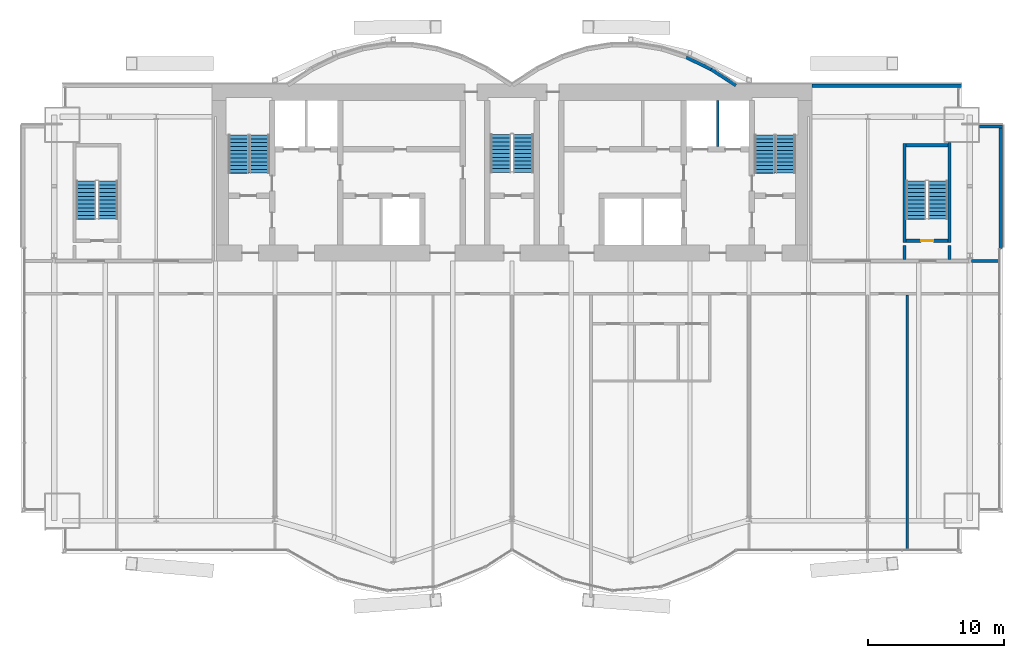
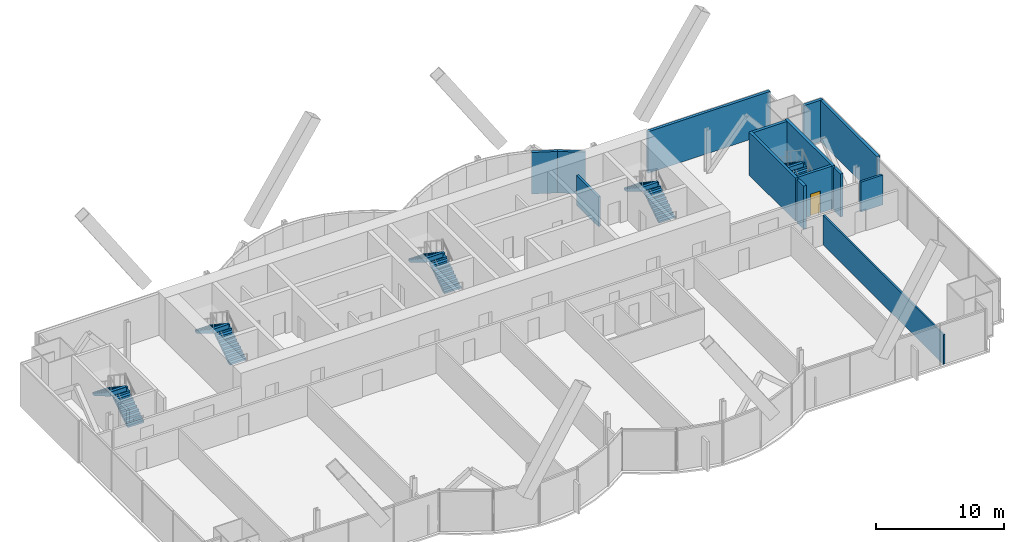
# One storey, part 19 of 22: 14 walls, 10 stair flights, 1 door, 1 opening, 5 elements without a shape of their own.
"""IFC4 building model written with IfcOpenShell, lengths in metres."""

from ifc_helpers import new_model, si_unit, direction, frame, frame_2d, origin, place, context, subcontext, project, spatial, polyline, rectangle, outline, extrude, material, layer, layer_set, layer_usage, type_object, element, fill, aggregate, save


model = new_model("IFC4")

# Units and contexts
model_context = context("Model", 3, precision=1e-05, world=origin(), true_north=direction((0.0, 1.0)))
body_context = subcontext(model_context, "Body", "Model", "MODEL_VIEW")
ifc_project = project(units=[si_unit("LENGTHUNIT", "METRE"), si_unit("AREAUNIT", "SQUARE_METRE"), si_unit("VOLUMEUNIT", "CUBIC_METRE"), si_unit("PLANEANGLEUNIT", "RADIAN"), si_unit("MASSUNIT", "GRAM", prefix="KILO")], contexts=[model_context])

# Site, building, storey
site_placement = place(None, origin())
site = spatial("IfcSite", under=ifc_project, at=site_placement, CompositionType="ELEMENT")
building_placement = place(site_placement, origin())
building = spatial("IfcBuilding", under=site, at=building_placement, Name="Bicima Exchange Tower", CompositionType="ELEMENT")
storey_placement = place(building_placement, frame((0.0, 0.0, 169.10009765625)))
storey = spatial("IfcBuildingStorey", under=building, at=storey_placement, Name="L37", CompositionType="ELEMENT", Elevation=169.10009765625)

# Walls
ifc_material_1 = material(Name="Gypsum board partition")
ifc_layer_1 = layer(ifc_material_1, 0.199951171875)
ifc_layer_set_1 = layer_set([ifc_layer_1], Name="Gypsum board partition")
wall_type_1 = type_object("IfcWallType", Name="Fire-rated gypsum partition 200 EI120", PredefinedType="PARTITIONING", material=ifc_layer_set_1)
wall_1_placement = place(storey_placement, frame((15.10009765625, -4.60009765625, 0.0), z_axis=(0.0, 0.0, 1.0), x_axis=(0.0, 1.0, 0.0)))
element("IfcWall", 1, at=wall_1_placement, inside=storey, type_object=wall_type_1, Name="partition wall 21", PredefinedType="PARTITIONING", context=body_context, shape_type="SweptSolid", body=[
    extrude(rectangle(XDim=3.400146484375, YDim=0.199951171875, at=frame_2d((1.7001953125, 0.0))), origin(), (0.0, 0.0, 1.0), 2.840087890625),
])
ifc_layer_2 = layer(ifc_material_1, 0.199951171875)
ifc_layer_set_2 = layer_set([ifc_layer_2], Name="Gypsum board partition")
wall_type_2 = type_object("IfcWallType", Name="Fire-rated gypsum partition 200 EI60", PredefinedType="PARTITIONING", material=ifc_layer_set_2)
wall_2_placement = place(storey_placement, frame((33.719970703125, -13.0, 0.0), z_axis=(0.0, 0.0, 1.0), x_axis=(1.0, 0.0, 0.0)))
element("IfcWall", 2, at=wall_2_placement, inside=storey, type_object=wall_type_2, Name="partition wall 7", PredefinedType="PARTITIONING", context=body_context, shape_type="SweptSolid", body=[
    extrude(rectangle(XDim=1.9599609375, YDim=0.199951171875, at=frame_2d((0.97998046875, 0.0))), origin(), (0.0, 0.0, 1.0), 2.840087890625),
])
ifc_layer_3 = layer(ifc_material_1, 0.14990234375)
ifc_layer_set_3 = layer_set([ifc_layer_3], Name="Gypsum board partition")
wall_type_3 = type_object("IfcWallType", Name="Gypsum partition 150", PredefinedType="PARTITIONING", material=ifc_layer_set_3)
wall_3_placement = place(storey_placement, frame((29.0, -34.22998046875, 0.0), z_axis=(0.0, 0.0, 1.0), x_axis=(0.0, 1.0, 0.0)))
element("IfcWall", 3, at=wall_3_placement, inside=storey, type_object=wall_type_3, Name="partition wall 27", PredefinedType="PARTITIONING", context=body_context, shape_type="SweptSolid", body=[
    extrude(rectangle(XDim=18.72998046875, YDim=0.14990234375, at=frame_2d((9.364990234375, 0.0))), origin(), (0.0, 0.0, 1.0), 2.840087890625),
])
ifc_material_2 = material(Name="Concrete C50/60", Category="concrete")
ifc_layer_4 = layer(ifc_material_2, 0.25)
ifc_layer_set_4 = layer_set([ifc_layer_4], Name="Concrete C50/60")
wall_type_4 = type_object("IfcWallType", Name="RC core wall 250 C50/60", PredefinedType="SHEAR", material=ifc_layer_set_4)
for number, where, z_axis, x_axis, name in (
    (4, (28.800048828125, -12.89990234375, 0.0), (0.0, 0.0, 1.0), (0.0, 1.0, 0.0), "stair wall 26"),
    (5, (32.10009765625, -12.89990234375, 0.0), (0.0, 0.0, 1.0), (0.0, 1.0, 0.0), "stair wall 28"),
):
    element("IfcWall", number, at=place(storey_placement, frame(where, z_axis=z_axis, x_axis=x_axis)), inside=storey, type_object=wall_type_4, Name=name, PredefinedType="SHEAR", context=body_context, shape_type="SweptSolid", body=[
        extrude(rectangle(XDim=1.0498046875, YDim=0.25, at=frame_2d((0.52490234375, 0.0))), origin(), (0.0, 0.0, 1.0), 4.099853515625),
    ])
ifc_layer_5 = layer(ifc_material_2, 0.25)
ifc_layer_set_5 = layer_set([ifc_layer_5], Name="Concrete C50/60")
wall_type_5 = type_object("IfcWallType", Name="RC stair enclosure wall 250 C50/60", PredefinedType="SHEAR", material=ifc_layer_set_5)
wall_4_placement = place(storey_placement, frame((28.800048828125, -11.625, 0.0), z_axis=(0.0, 0.0, 1.0), x_axis=(0.0, 1.0, 0.0)))
element("IfcWall", 6, at=wall_4_placement, inside=storey, type_object=wall_type_5, Name="East end exit stair wall W", PredefinedType="SHEAR", context=body_context, shape_type="SweptSolid", body=[
    extrude(rectangle(XDim=7.25, YDim=0.25, at=frame_2d((3.625, 0.0))), origin(), (0.0, 0.0, 1.0), 4.099853515625),
])
wall_5_placement = place(storey_placement, frame((32.10009765625, -11.625, 0.0), z_axis=(0.0, 0.0, 1.0), x_axis=(0.0, 1.0, 0.0)))
element("IfcWall", 7, at=wall_5_placement, inside=storey, type_object=wall_type_5, Name="East end exit stair wall E", PredefinedType="SHEAR", context=body_context, shape_type="SweptSolid", body=[
    extrude(rectangle(XDim=7.324951171875, YDim=0.25, at=frame_2d((3.66259765625, 0.0))), origin(), (0.0, 0.0, 1.0), 4.099853515625),
])

# Wall, opening, door
wall_6_placement = place(storey_placement, frame((28.925048828125, -11.5, 0.0), z_axis=(0.0, 0.0, 1.0), x_axis=(1.0, 0.0, 0.0)))
wall_6 = element("IfcWall", 8, at=wall_6_placement, inside=storey, type_object=wall_type_5, Name="East end exit stair wall S", PredefinedType="SHEAR", context=body_context, shape_type="SweptSolid", body=[
    extrude(rectangle(XDim=3.050048828125, YDim=0.25, at=frame_2d((1.52490234375, 0.0))), origin(), (0.0, 0.0, 1.0), 4.099853515625),
])
opening_placement = place(wall_6_placement, frame((1.10009765625, 0.0, 0.0)))
opening = element("IfcOpeningElement", 9, at=opening_placement, cuts=wall_6, Name="Opening L37-004", PredefinedType="OPENING", context=body_context, shape_type="SweptSolid", body=[
    extrude(rectangle(XDim=0.89990234375, YDim=2.10009765625, at=frame_2d((0.449951171875, 1.050048828125))), frame((0.0, 0.136962890625, 0.0), z_axis=(0.0, -1.0, 0.0), x_axis=(1.0, 0.0, 0.0)), (0.0, 0.0, 1.0), 0.27392578125),
])
ifc_material_3 = material(Name="Steel fire door leaf", Category="steel")
door_type = type_object("IfcDoorType", Name="Door 900 swing FD60S", OperationType="SINGLE_SWING_LEFT", PredefinedType="DOOR", material=ifc_material_3)
door_placement = place(opening_placement, origin())
door = element("IfcDoor", 10, at=door_placement, inside=storey, type_object=door_type, Name="Door", OperationType="SINGLE_SWING_LEFT", OverallHeight=2.10009765625, OverallWidth=0.89990234375, PredefinedType="DOOR", context=body_context, shape_type="SweptSolid", body=[
    extrude(rectangle(XDim=0.89990234375, YDim=2.10009765625, at=frame_2d((0.449951171875, 1.050048828125))), frame((0.0, 0.02490234375, 0.0), z_axis=(0.0, -1.0, 0.0), x_axis=(1.0, 0.0, 0.0)), (0.0, 0.0, 1.0), 0.050048828125),
])
fill(opening, door)

# Walls
wall_7_placement = place(storey_placement, frame((28.925048828125, -4.5, 0.0), z_axis=(0.0, 0.0, 1.0), x_axis=(1.0, 0.0, 0.0)))
element("IfcWall", 11, at=wall_7_placement, inside=storey, type_object=wall_type_5, Name="East end exit stair wall N", PredefinedType="SHEAR", context=body_context, shape_type="SweptSolid", body=[
    extrude(rectangle(XDim=3.050048828125, YDim=0.25, at=frame_2d((1.52490234375, 0.0))), origin(), (0.0, 0.0, 1.0), 4.099853515625),
])
ifc_material_4 = material(Name="Concrete C40/50", Category="concrete")
ifc_layer_6 = layer(ifc_material_4, 0.25)
ifc_layer_set_6 = layer_set([ifc_layer_6], Name="Concrete C40/50")
ifc_layer_usage = layer_usage(ifc_layer_set_6, "AXIS2", "POSITIVE", -0.125)
wall_type_6 = type_object("IfcWallType", Name="Rear backup wall 250", PredefinedType="STANDARD", material=ifc_layer_set_6)
wall_8_placement = place(storey_placement, frame((33.0, -0.125, 0.0), z_axis=(0.0, 0.0, 1.0), x_axis=(-1.0, 0.0, 0.0)))
element("IfcWall", 12, at=wall_8_placement, inside=storey, type_object=wall_type_6, material=ifc_layer_usage, Name="Rear backup wall L37 1", PredefinedType="STANDARD", context=body_context, shape_type="SweptSolid", body=[
    extrude(rectangle(XDim=11.0, YDim=0.25, at=frame_2d((5.5, 0.0))), origin(), (0.0, 0.0, 1.0), 3.949951171875),
])
wall_9_placement = place(storey_placement, frame((16.43212890625, -0.10498046875, 0.0), z_axis=(0.0, 0.0, 1.0), x_axis=(-0.83981312244, 0.542875602121, 0.0)))
element("IfcWall", 13, at=wall_9_placement, inside=storey, type_object=wall_type_6, material=ifc_layer_usage, Name="Rear backup wall L37 2", PredefinedType="STANDARD", context=body_context, shape_type="SweptSolid", body=[
    extrude(rectangle(XDim=2.182861328125, YDim=0.25, at=frame_2d((1.09130859375, 0.0))), origin(), (0.0, 0.0, 1.0), 3.949951171875),
])
wall_10_placement = place(storey_placement, frame((14.6123046875, 1.07275390625, 0.0), z_axis=(0.0, 0.0, 1.0), x_axis=(-0.89982408427, 0.436252928206, 0.0)))
element("IfcWall", 14, at=wall_10_placement, inside=storey, type_object=wall_type_6, material=ifc_layer_usage, Name="Rear backup wall L37 3", PredefinedType="STANDARD", context=body_context, shape_type="SweptSolid", body=[
    extrude(rectangle(XDim=2.03759765625, YDim=0.25, at=frame_2d((1.018798828125, 0.0))), origin(), (0.0, 0.0, 1.0), 3.949951171875),
])
wall_11_placement = place(storey_placement, frame((35.875, -12.090087890625, 0.0), z_axis=(0.0, 0.0, 1.0), x_axis=(0.0, 1.0, 0.0)))
element("IfcWall", 15, at=wall_11_placement, inside=storey, type_object=wall_type_6, material=ifc_layer_usage, Name="Rear backup wall L37 50", PredefinedType="STANDARD", context=body_context, shape_type="SweptSolid", body=[
    extrude(rectangle(XDim=9.090087890625, YDim=0.25, at=frame_2d((4.544921875, 0.0))), origin(), (0.0, 0.0, 1.0), 3.949951171875),
])
wall_12_placement = place(storey_placement, frame((36.0, -3.125, 0.0), z_axis=(0.0, 0.0, 1.0), x_axis=(-1.0, 0.0, 0.0)))
element("IfcWall", 16, at=wall_12_placement, inside=storey, type_object=wall_type_6, material=ifc_layer_usage, Name="Rear backup wall L37 51", PredefinedType="STANDARD", context=body_context, shape_type="SweptSolid", body=[
    extrude(rectangle(XDim=1.699951171875, YDim=0.25, at=frame_2d((0.85009765625, 0.0))), origin(), (0.0, 0.0, 1.0), 3.949951171875),
])

# Stair, stair flights
stair_type_1 = type_object("IfcStairType", Name="Exit stair", PredefinedType="HALF_TURN_STAIR", material=ifc_material_2)
stair_1_placement = place(storey_placement, origin())
stair_1 = element("IfcStair", 17, at=stair_1_placement, inside=storey, type_object=stair_type_1, Name="L37 West exit stair", PredefinedType="HALF_TURN_STAIR")
stair_flight_type_1 = type_object("IfcStairFlightType", Name="Stair flight RC", PredefinedType="STRAIGHT", material=ifc_material_2)
stair_flight_1_placement = place(storey_placement, frame((-18.52490234375, -6.550048828125, 0.0), z_axis=(0.0, 0.0, 1.0), x_axis=(0.0, 1.0, 0.0)))
stair_flight_1 = element("IfcStairFlight", 18, at=stair_flight_1_placement, type_object=stair_flight_type_1, Name="ST-W flight 1", NumberOfRisers=11, NumberOfTreads=10, PredefinedType="STRAIGHT", RiserHeight=0.186363636, TreadLength=0.28, context=body_context, shape_type="SweptSolid", body=[
    extrude(outline(polyline([(0.0, 0.0), (0.0, 0.186279296875), (0.280029296875, 0.186279296875), (0.280029296875, 0.372802734375), (0.56005859375, 0.372802734375), (0.56005859375, 0.55908203125), (0.840087890625, 0.55908203125), (0.840087890625, 0.745361328125), (1.1201171875, 0.745361328125), (1.1201171875, 0.931884765625), (1.39990234375, 0.931884765625), (1.39990234375, 1.1181640625), (1.679931640625, 1.1181640625), (1.679931640625, 1.304443359375), (1.9599609375, 1.304443359375), (1.9599609375, 1.490966796875), (2.239990234375, 1.490966796875), (2.239990234375, 1.67724609375), (2.52001953125, 1.67724609375), (2.52001953125, 1.863525390625), (2.800048828125, 1.863525390625), (2.800048828125, 2.050048828125), (2.800048828125, 1.68359375), (0.2705078125, 0.0), (0.0, 0.0)])), frame((0.0, 0.72509765625, 0.0), z_axis=(0.0, -1.0, 0.0), x_axis=(1.0, 0.0, 0.0)), (0.0, 0.0, 1.0), 1.449951171875),
])
stair_flight_2_placement = place(storey_placement, frame((-20.074951171875, -3.75, 2.0498046875), z_axis=(0.0, 0.0, 1.0), x_axis=(0.0, -1.0, 0.0)))
stair_flight_2 = element("IfcStairFlight", 19, at=stair_flight_2_placement, type_object=stair_flight_type_1, Name="ST-W flight 2", NumberOfRisers=11, NumberOfTreads=10, PredefinedType="STRAIGHT", RiserHeight=0.186363636, TreadLength=0.28, context=body_context, shape_type="SweptSolid", body=[
    extrude(outline(polyline([(0.0, 0.0), (0.0, 0.186279296875), (0.280029296875, 0.186279296875), (0.280029296875, 0.372802734375), (0.56005859375, 0.372802734375), (0.56005859375, 0.55908203125), (0.840087890625, 0.55908203125), (0.840087890625, 0.745361328125), (1.1201171875, 0.745361328125), (1.1201171875, 0.931884765625), (1.39990234375, 0.931884765625), (1.39990234375, 1.1181640625), (1.679931640625, 1.1181640625), (1.679931640625, 1.304443359375), (1.9599609375, 1.304443359375), (1.9599609375, 1.490966796875), (2.239990234375, 1.490966796875), (2.239990234375, 1.67724609375), (2.52001953125, 1.67724609375), (2.52001953125, 1.863525390625), (2.800048828125, 1.863525390625), (2.800048828125, 1.904052734375), (2.81494140625, 1.904052734375), (2.81494140625, 1.507080078125), (0.2705078125, 0.0), (0.0, 0.0)])), frame((0.0, 0.72509765625, 0.0), z_axis=(0.0, -1.0, 0.0), x_axis=(1.0, 0.0, 0.0)), (0.0, 0.0, 1.0), 1.449951171875),
])
aggregate(stair_1, [stair_flight_1, stair_flight_2])

stair_2_placement = place(storey_placement, origin())
stair_2 = element("IfcStair", 20, at=stair_2_placement, inside=storey, type_object=stair_type_1, Name="L37 East exit stair", PredefinedType="HALF_TURN_STAIR")
stair_flight_3_placement = place(storey_placement, frame((20.074951171875, -6.550048828125, 0.0), z_axis=(0.0, 0.0, 1.0), x_axis=(0.0, 1.0, 0.0)))
stair_flight_3 = element("IfcStairFlight", 21, at=stair_flight_3_placement, type_object=stair_flight_type_1, Name="ST-E flight 1", NumberOfRisers=11, NumberOfTreads=10, PredefinedType="STRAIGHT", RiserHeight=0.186363636, TreadLength=0.28, context=body_context, shape_type="SweptSolid", body=[
    extrude(outline(polyline([(0.0, 0.0), (0.0, 0.186279296875), (0.280029296875, 0.186279296875), (0.280029296875, 0.372802734375), (0.56005859375, 0.372802734375), (0.56005859375, 0.55908203125), (0.840087890625, 0.55908203125), (0.840087890625, 0.745361328125), (1.1201171875, 0.745361328125), (1.1201171875, 0.931884765625), (1.39990234375, 0.931884765625), (1.39990234375, 1.1181640625), (1.679931640625, 1.1181640625), (1.679931640625, 1.304443359375), (1.9599609375, 1.304443359375), (1.9599609375, 1.490966796875), (2.239990234375, 1.490966796875), (2.239990234375, 1.67724609375), (2.52001953125, 1.67724609375), (2.52001953125, 1.863525390625), (2.800048828125, 1.863525390625), (2.800048828125, 2.050048828125), (2.800048828125, 1.68359375), (0.2705078125, 0.0), (0.0, 0.0)])), frame((0.0, 0.72509765625, 0.0), z_axis=(0.0, -1.0, 0.0), x_axis=(1.0, 0.0, 0.0)), (0.0, 0.0, 1.0), 1.449951171875),
])
stair_flight_4_placement = place(storey_placement, frame((18.52490234375, -3.75, 2.0498046875), z_axis=(0.0, 0.0, 1.0), x_axis=(0.0, -1.0, 0.0)))
stair_flight_4 = element("IfcStairFlight", 22, at=stair_flight_4_placement, type_object=stair_flight_type_1, Name="ST-E flight 2", NumberOfRisers=11, NumberOfTreads=10, PredefinedType="STRAIGHT", RiserHeight=0.186363636, TreadLength=0.28, context=body_context, shape_type="SweptSolid", body=[
    extrude(outline(polyline([(0.0, 0.0), (0.0, 0.186279296875), (0.280029296875, 0.186279296875), (0.280029296875, 0.372802734375), (0.56005859375, 0.372802734375), (0.56005859375, 0.55908203125), (0.840087890625, 0.55908203125), (0.840087890625, 0.745361328125), (1.1201171875, 0.745361328125), (1.1201171875, 0.931884765625), (1.39990234375, 0.931884765625), (1.39990234375, 1.1181640625), (1.679931640625, 1.1181640625), (1.679931640625, 1.304443359375), (1.9599609375, 1.304443359375), (1.9599609375, 1.490966796875), (2.239990234375, 1.490966796875), (2.239990234375, 1.67724609375), (2.52001953125, 1.67724609375), (2.52001953125, 1.863525390625), (2.800048828125, 1.863525390625), (2.800048828125, 1.904052734375), (2.81494140625, 1.904052734375), (2.81494140625, 1.507080078125), (0.2705078125, 0.0), (0.0, 0.0)])), frame((0.0, 0.72509765625, 0.0), z_axis=(0.0, -1.0, 0.0), x_axis=(1.0, 0.0, 0.0)), (0.0, 0.0, 1.0), 1.449951171875),
])
aggregate(stair_2, [stair_flight_3, stair_flight_4])

stair_3_placement = place(storey_placement, origin())
stair_3 = element("IfcStair", 23, at=stair_3_placement, inside=storey, type_object=stair_type_1, Name="L37 West end exit stair", PredefinedType="HALF_TURN_STAIR")
stair_flight_5_placement = place(storey_placement, frame((-29.64990234375, -9.925048828125, 0.0), z_axis=(0.0, 0.0, 1.0), x_axis=(0.0, 1.0, 0.0)))
stair_flight_5 = element("IfcStairFlight", 24, at=stair_flight_5_placement, type_object=stair_flight_type_1, Name="ST-WW flight 1", NumberOfRisers=11, NumberOfTreads=10, PredefinedType="STRAIGHT", RiserHeight=0.186363636, TreadLength=0.28, context=body_context, shape_type="SweptSolid", body=[
    extrude(outline(polyline([(0.0, 0.0), (0.0, 0.186279296875), (0.280029296875, 0.186279296875), (0.280029296875, 0.372802734375), (0.56005859375, 0.372802734375), (0.56005859375, 0.55908203125), (0.840087890625, 0.55908203125), (0.840087890625, 0.745361328125), (1.1201171875, 0.745361328125), (1.1201171875, 0.931884765625), (1.39990234375, 0.931884765625), (1.39990234375, 1.1181640625), (1.679931640625, 1.1181640625), (1.679931640625, 1.304443359375), (1.9599609375, 1.304443359375), (1.9599609375, 1.490966796875), (2.239990234375, 1.490966796875), (2.239990234375, 1.67724609375), (2.52001953125, 1.67724609375), (2.52001953125, 1.863525390625), (2.800048828125, 1.863525390625), (2.800048828125, 2.050048828125), (2.800048828125, 1.68359375), (0.2705078125, 0.0), (0.0, 0.0)])), frame((0.0, 0.72509765625, 0.0), z_axis=(0.0, -1.0, 0.0), x_axis=(1.0, 0.0, 0.0)), (0.0, 0.0, 1.0), 1.449951171875),
])
stair_flight_6_placement = place(storey_placement, frame((-31.25, -7.125, 2.0498046875), z_axis=(0.0, 0.0, 1.0), x_axis=(0.0, -1.0, 0.0)))
stair_flight_6 = element("IfcStairFlight", 25, at=stair_flight_6_placement, type_object=stair_flight_type_1, Name="ST-WW flight 2", NumberOfRisers=11, NumberOfTreads=10, PredefinedType="STRAIGHT", RiserHeight=0.186363636, TreadLength=0.28, context=body_context, shape_type="SweptSolid", body=[
    extrude(outline(polyline([(0.0, 0.0), (0.0, 0.186279296875), (0.280029296875, 0.186279296875), (0.280029296875, 0.372802734375), (0.56005859375, 0.372802734375), (0.56005859375, 0.55908203125), (0.840087890625, 0.55908203125), (0.840087890625, 0.745361328125), (1.1201171875, 0.745361328125), (1.1201171875, 0.931884765625), (1.39990234375, 0.931884765625), (1.39990234375, 1.1181640625), (1.679931640625, 1.1181640625), (1.679931640625, 1.304443359375), (1.9599609375, 1.304443359375), (1.9599609375, 1.490966796875), (2.239990234375, 1.490966796875), (2.239990234375, 1.67724609375), (2.52001953125, 1.67724609375), (2.52001953125, 1.863525390625), (2.800048828125, 1.863525390625), (2.800048828125, 1.904052734375), (2.81494140625, 1.904052734375), (2.81494140625, 1.507080078125), (0.2705078125, 0.0), (0.0, 0.0)])), frame((0.0, 0.72509765625, 0.0), z_axis=(0.0, -1.0, 0.0), x_axis=(1.0, 0.0, 0.0)), (0.0, 0.0, 1.0), 1.449951171875),
])
aggregate(stair_3, [stair_flight_5, stair_flight_6])

stair_4_placement = place(storey_placement, origin())
stair_4 = element("IfcStair", 26, at=stair_4_placement, inside=storey, type_object=stair_type_1, Name="L37 East end exit stair", PredefinedType="HALF_TURN_STAIR")
stair_flight_7_placement = place(storey_placement, frame((31.25, -9.925048828125, 0.0), z_axis=(0.0, 0.0, 1.0), x_axis=(0.0, 1.0, 0.0)))
stair_flight_7 = element("IfcStairFlight", 27, at=stair_flight_7_placement, type_object=stair_flight_type_1, Name="ST-EE flight 1", NumberOfRisers=11, NumberOfTreads=10, PredefinedType="STRAIGHT", RiserHeight=0.186363636, TreadLength=0.28, context=body_context, shape_type="SweptSolid", body=[
    extrude(outline(polyline([(0.0, 0.0), (0.0, 0.186279296875), (0.280029296875, 0.186279296875), (0.280029296875, 0.372802734375), (0.56005859375, 0.372802734375), (0.56005859375, 0.55908203125), (0.840087890625, 0.55908203125), (0.840087890625, 0.745361328125), (1.1201171875, 0.745361328125), (1.1201171875, 0.931884765625), (1.39990234375, 0.931884765625), (1.39990234375, 1.1181640625), (1.679931640625, 1.1181640625), (1.679931640625, 1.304443359375), (1.9599609375, 1.304443359375), (1.9599609375, 1.490966796875), (2.239990234375, 1.490966796875), (2.239990234375, 1.67724609375), (2.52001953125, 1.67724609375), (2.52001953125, 1.863525390625), (2.800048828125, 1.863525390625), (2.800048828125, 2.050048828125), (2.800048828125, 1.68359375), (0.2705078125, 0.0), (0.0, 0.0)])), frame((0.0, 0.72509765625, 0.0), z_axis=(0.0, -1.0, 0.0), x_axis=(1.0, 0.0, 0.0)), (0.0, 0.0, 1.0), 1.449951171875),
])
stair_flight_8_placement = place(storey_placement, frame((29.64990234375, -7.125, 2.0498046875), z_axis=(0.0, 0.0, 1.0), x_axis=(0.0, -1.0, 0.0)))
stair_flight_8 = element("IfcStairFlight", 28, at=stair_flight_8_placement, type_object=stair_flight_type_1, Name="ST-EE flight 2", NumberOfRisers=11, NumberOfTreads=10, PredefinedType="STRAIGHT", RiserHeight=0.186363636, TreadLength=0.28, context=body_context, shape_type="SweptSolid", body=[
    extrude(outline(polyline([(0.0, 0.0), (0.0, 0.186279296875), (0.280029296875, 0.186279296875), (0.280029296875, 0.372802734375), (0.56005859375, 0.372802734375), (0.56005859375, 0.55908203125), (0.840087890625, 0.55908203125), (0.840087890625, 0.745361328125), (1.1201171875, 0.745361328125), (1.1201171875, 0.931884765625), (1.39990234375, 0.931884765625), (1.39990234375, 1.1181640625), (1.679931640625, 1.1181640625), (1.679931640625, 1.304443359375), (1.9599609375, 1.304443359375), (1.9599609375, 1.490966796875), (2.239990234375, 1.490966796875), (2.239990234375, 1.67724609375), (2.52001953125, 1.67724609375), (2.52001953125, 1.863525390625), (2.800048828125, 1.863525390625), (2.800048828125, 1.904052734375), (2.81494140625, 1.904052734375), (2.81494140625, 1.507080078125), (0.2705078125, 0.0), (0.0, 0.0)])), frame((0.0, 0.72509765625, 0.0), z_axis=(0.0, -1.0, 0.0), x_axis=(1.0, 0.0, 0.0)), (0.0, 0.0, 1.0), 1.449951171875),
])
aggregate(stair_4, [stair_flight_7, stair_flight_8])

stair_type_2 = type_object("IfcStairType", Name="Exit stair 1500", PredefinedType="HALF_TURN_STAIR", material=ifc_material_2)
stair_5_placement = place(storey_placement, origin())
stair_5 = element("IfcStair", 29, at=stair_5_placement, inside=storey, type_object=stair_type_2, Name="L37 Central exit stair", PredefinedType="HALF_TURN_STAIR")
stair_flight_type_2 = type_object("IfcStairFlightType", Name="Stair flight RC 1500", PredefinedType="STRAIGHT", material=ifc_material_2)
stair_flight_9_placement = place(storey_placement, frame((0.824951171875, -6.5, 0.0), z_axis=(0.0, 0.0, 1.0), x_axis=(0.0, 1.0, 0.0)))
stair_flight_9 = element("IfcStairFlight", 30, at=stair_flight_9_placement, type_object=stair_flight_type_2, Name="ST-C flight 1", NumberOfRisers=11, NumberOfTreads=10, PredefinedType="STRAIGHT", RiserHeight=0.186363636, TreadLength=0.28, context=body_context, shape_type="SweptSolid", body=[
    extrude(outline(polyline([(0.0, 0.0), (0.0, 0.186279296875), (0.280029296875, 0.186279296875), (0.280029296875, 0.372802734375), (0.56005859375, 0.372802734375), (0.56005859375, 0.55908203125), (0.840087890625, 0.55908203125), (0.840087890625, 0.745361328125), (1.1201171875, 0.745361328125), (1.1201171875, 0.931884765625), (1.39990234375, 0.931884765625), (1.39990234375, 1.1181640625), (1.679931640625, 1.1181640625), (1.679931640625, 1.304443359375), (1.9599609375, 1.304443359375), (1.9599609375, 1.490966796875), (2.239990234375, 1.490966796875), (2.239990234375, 1.67724609375), (2.52001953125, 1.67724609375), (2.52001953125, 1.863525390625), (2.800048828125, 1.863525390625), (2.800048828125, 2.050048828125), (2.800048828125, 1.68359375), (0.2705078125, 0.0), (0.0, 0.0)])), frame((0.0, 0.75, 0.0), z_axis=(0.0, -1.0, 0.0), x_axis=(1.0, 0.0, 0.0)), (0.0, 0.0, 1.0), 1.5),
])
stair_flight_10_placement = place(storey_placement, frame((-0.824951171875, -3.699951171875, 2.0498046875), z_axis=(0.0, 0.0, 1.0), x_axis=(0.0, -1.0, 0.0)))
stair_flight_10 = element("IfcStairFlight", 31, at=stair_flight_10_placement, type_object=stair_flight_type_2, Name="ST-C flight 2", NumberOfRisers=11, NumberOfTreads=10, PredefinedType="STRAIGHT", RiserHeight=0.186363636, TreadLength=0.28, context=body_context, shape_type="SweptSolid", body=[
    extrude(outline(polyline([(0.0, 0.0), (0.0, 0.186279296875), (0.280029296875, 0.186279296875), (0.280029296875, 0.372802734375), (0.56005859375, 0.372802734375), (0.56005859375, 0.55908203125), (0.840087890625, 0.55908203125), (0.840087890625, 0.745361328125), (1.1201171875, 0.745361328125), (1.1201171875, 0.931884765625), (1.39990234375, 0.931884765625), (1.39990234375, 1.1181640625), (1.679931640625, 1.1181640625), (1.679931640625, 1.304443359375), (1.9599609375, 1.304443359375), (1.9599609375, 1.490966796875), (2.239990234375, 1.490966796875), (2.239990234375, 1.67724609375), (2.52001953125, 1.67724609375), (2.52001953125, 1.863525390625), (2.800048828125, 1.863525390625), (2.800048828125, 1.904052734375), (2.81494140625, 1.904052734375), (2.81494140625, 1.507080078125), (0.2705078125, 0.0), (0.0, 0.0)])), frame((0.0, 0.75, 0.0), z_axis=(0.0, -1.0, 0.0), x_axis=(1.0, 0.0, 0.0)), (0.0, 0.0, 1.0), 1.5),
])
aggregate(stair_5, [stair_flight_9, stair_flight_10])

save(model, "model.ifc")
